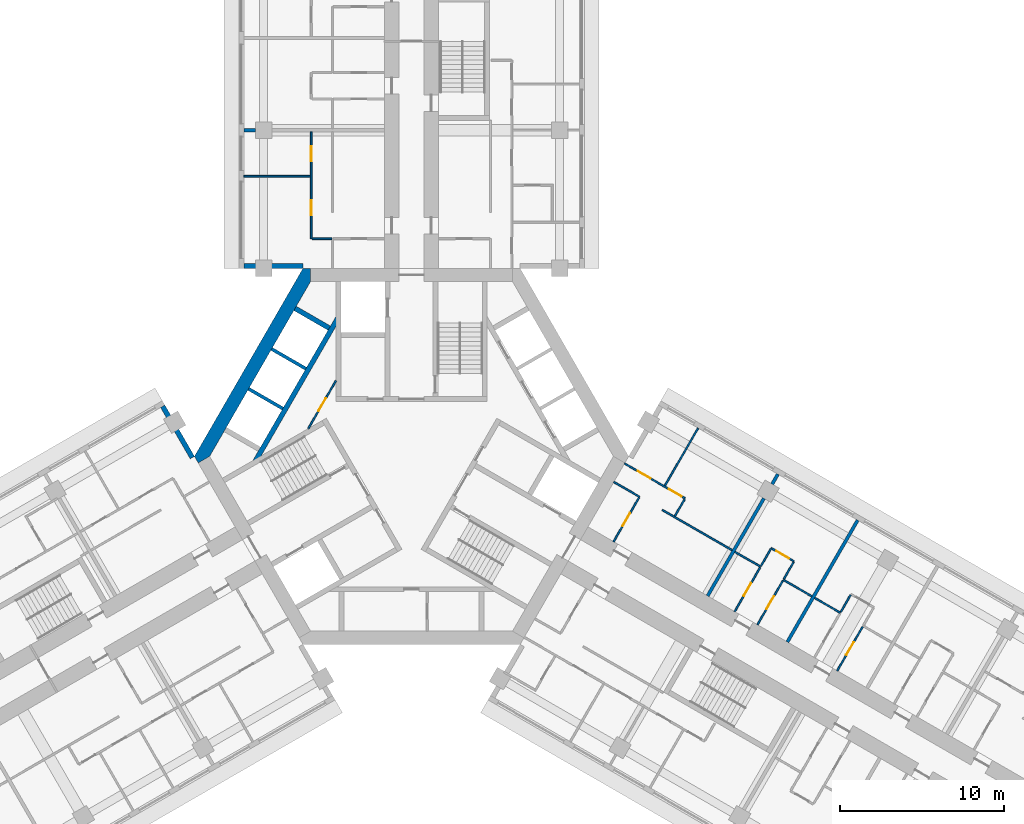
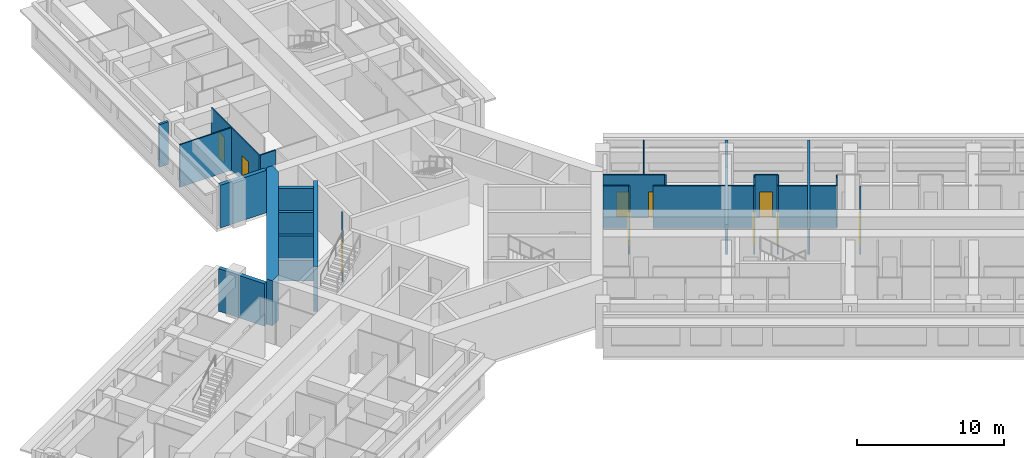
# One storey, part 7 of 14: 31 walls, 10 doors, 10 openings.
"""IFC4 building model written with IfcOpenShell, lengths in metres."""

from ifc_helpers import new_model, si_unit, direction, frame, frame_2d, origin, place, context, subcontext, project, spatial, polyline, rectangle, outline, extrude, material, layer, layer_set, type_object, element, fill, save


model = new_model("IFC4")

# Units and contexts
model_context = context("Model", 3, precision=1e-05, world=origin(), true_north=direction((0.0, 1.0)))
body_context = subcontext(model_context, "Body", "Model", "MODEL_VIEW")
ifc_project = project(units=[si_unit("LENGTHUNIT", "METRE"), si_unit("AREAUNIT", "SQUARE_METRE"), si_unit("VOLUMEUNIT", "CUBIC_METRE"), si_unit("PLANEANGLEUNIT", "RADIAN"), si_unit("MASSUNIT", "GRAM", prefix="KILO")], contexts=[model_context])

# Site, building, storey
site_placement = place(None, origin())
site = spatial("IfcSite", under=ifc_project, at=site_placement, CompositionType="ELEMENT")
building_placement = place(site_placement, origin())
building = spatial("IfcBuilding", under=site, at=building_placement, Name="Impinga Residences", CompositionType="ELEMENT")
storey_placement = place(building_placement, frame((0.0, 0.0, 147.25)))
storey = spatial("IfcBuildingStorey", under=building, at=storey_placement, Name="L36", CompositionType="ELEMENT", Elevation=147.25)

# Wall, opening, door
ifc_material_1 = material(Name="Concrete blockwork", Category="masonry")
ifc_layer_1 = layer(ifc_material_1, 0.10009765625)
ifc_layer_set_1 = layer_set([ifc_layer_1], Name="CP1 core room partition, blockwork 100")
wall_type_1 = type_object("IfcWallType", Name="CP1 core room partition, blockwork 100", PredefinedType="PARTITIONING", material=ifc_layer_set_1)
wall_1_placement = place(storey_placement, frame((-6.280029296875, 1.685791015625, 0.0), z_axis=(0.0, 0.0, 1.0), x_axis=(0.499976138585, 0.866039179741, 0.0)))
wall_1 = element("IfcWall", 1, at=wall_1_placement, inside=storey, type_object=wall_type_1, Name="Core room partition, blockwork L36:CORE:high:FP", PredefinedType="PARTITIONING", context=body_context, shape_type="SweptSolid", body=[
    extrude(rectangle(XDim=3.360107421875, YDim=0.10009765625, at=frame_2d((1.68017578125, 0.0))), origin(), (0.0, 0.0, 1.0), 3.530029296875),
])
opening_1_placement = place(wall_1_placement, frame((1.22998046875, 0.0, 0.0)))
opening_1 = element("IfcOpeningElement", 2, at=opening_1_placement, cuts=wall_1, Name="Opening D6", PredefinedType="OPENING", context=body_context, shape_type="SweptSolid", body=[
    extrude(rectangle(XDim=0.89990234375, YDim=2.10009765625, at=frame_2d((0.449951171875, 1.050048828125))), frame((0.0, 0.06005859375, 0.0), z_axis=(0.0, -1.0, 0.0), x_axis=(1.0, 0.0, 0.0)), (0.0, 0.0, 1.0), 0.1201171875),
])
ifc_material_2 = material(Name="Timber door set", Category="wood")
door_type_1 = type_object("IfcDoorType", Name="D6 riser and store door 900x2100", OperationType="SINGLE_SWING_LEFT", PredefinedType="DOOR", material=ifc_material_2)
door_1_placement = place(opening_1_placement, origin())
door_1 = element("IfcDoor", 3, at=door_1_placement, inside=storey, type_object=door_type_1, Name="Vending and ice room door", OperationType="SINGLE_SWING_RIGHT", OverallHeight=2.10009765625, OverallWidth=0.89990234375, PredefinedType="DOOR", context=body_context, shape_type="SweptSolid", body=[
    extrude(rectangle(XDim=0.89990234375, YDim=2.10009765625, at=frame_2d((0.449951171875, 1.050048828125))), frame((0.0, 0.02490234375, 0.0), z_axis=(0.0, -1.0, 0.0), x_axis=(1.0, 0.0, 0.0)), (0.0, 0.0, 1.0), 0.050048828125),
])
fill(opening_1, door_1)

# Walls
ifc_material_3 = material(Name="Terracotta rainscreen on blockwork", Category="masonry")
ifc_layer_2 = layer(ifc_material_3, 0.300048828125)
ifc_layer_set_2 = layer_set([ifc_layer_2], Name="EW1 external wall, terracotta rainscreen on blockwork 300")
wall_type_2 = type_object("IfcWallType", Name="EW1 external wall, terracotta rainscreen on blockwork 300", PredefinedType="SOLIDWALL", material=ifc_layer_set_2)
wall_2_placement = place(storey_placement, frame((-15.1298828125, 3.042724609375, 0.0), z_axis=(0.0, 0.0, 1.0), x_axis=(0.500012057535, -0.866018442252, 0.0)))
element("IfcWall", 4, at=wall_2_placement, inside=storey, type_object=wall_type_2, Name="External wall EW1 L36", PredefinedType="SOLIDWALL", context=body_context, shape_type="SweptSolid", body=[
    extrude(rectangle(XDim=3.60009765625, YDim=0.300048828125, at=frame_2d((1.800048828125, 0.0))), origin(), (0.0, 0.0, 1.0), 3.530029296875),
])
wall_3_placement = place(storey_placement, frame((-6.60009765625, 11.58154296875, 0.0), z_axis=(0.0, 0.0, 1.0), x_axis=(-1.0, 0.0, 0.0)))
element("IfcWall", 5, at=wall_3_placement, inside=storey, type_object=wall_type_2, Name="External wall EW1 L36", PredefinedType="SOLIDWALL", context=body_context, shape_type="SweptSolid", body=[
    extrude(rectangle(XDim=3.599853515625, YDim=0.300048828125, at=frame_2d((1.7998046875, 0.0))), origin(), (0.0, 0.0, 1.0), 3.530029296875),
])

# Wall, openings, doors
ifc_material_4 = material(Name="Gypsum board on steel studs", Category="steel")
ifc_layer_3 = layer(ifc_material_4, 0.10009765625)
ifc_layer_set_3 = layer_set([ifc_layer_3], Name="Gypsum board on steel studs")
wall_type_3 = type_object("IfcWallType", Name="IP1 partition 100", PredefinedType="PARTITIONING", material=ifc_layer_set_3)
wall_4_placement = place(storey_placement, frame((-6.10009765625, 13.2314453125, 0.0), z_axis=(0.0, 0.0, 1.0), x_axis=(0.0, 1.0, 0.0)))
wall_4 = element("IfcWall", 6, at=wall_4_placement, inside=storey, type_object=wall_type_3, Name="Partition L36-NA1:STRIP", PredefinedType="PARTITIONING", context=body_context, shape_type="SweptSolid", body=[
    extrude(rectangle(XDim=6.5, YDim=0.10009765625, at=frame_2d((3.25, 0.0))), origin(), (0.0, 0.0, 1.0), 3.530029296875),
])
opening_2_placement = place(wall_4_placement, frame((1.425048828125, 0.0, 0.0)))
opening_2 = element("IfcOpeningElement", 7, at=opening_2_placement, cuts=wall_4, Name="Opening D2", PredefinedType="OPENING", context=body_context, shape_type="SweptSolid", body=[
    extrude(rectangle(XDim=0.89990234375, YDim=2.10009765625, at=frame_2d((0.449951171875, 1.050048828125))), frame((0.0, 0.06005859375, 0.0), z_axis=(0.0, -1.0, 0.0), x_axis=(1.0, 0.0, 0.0)), (0.0, 0.0, 1.0), 0.1201171875),
])
opening_3_placement = place(wall_4_placement, frame((4.72509765625, 0.0, 0.0)))
opening_3 = element("IfcOpeningElement", 8, at=opening_3_placement, cuts=wall_4, Name="Opening D2", PredefinedType="OPENING", context=body_context, shape_type="SweptSolid", body=[
    extrude(rectangle(XDim=0.89990234375, YDim=2.10009765625, at=frame_2d((0.449951171875, 1.050048828125))), frame((0.0, 0.06005859375, 0.0), z_axis=(0.0, -1.0, 0.0), x_axis=(1.0, 0.0, 0.0)), (0.0, 0.0, 1.0), 0.1201171875),
])
door_type_2 = type_object("IfcDoorType", Name="D2 internal door 900x2100", OperationType="SINGLE_SWING_LEFT", PredefinedType="DOOR", material=ifc_material_2)
door_2_placement = place(opening_2_placement, origin())
door_2 = element("IfcDoor", 9, at=door_2_placement, inside=storey, type_object=door_type_2, Name="Apartment L36-NA1 room door", OperationType="SINGLE_SWING_LEFT", OverallHeight=2.10009765625, OverallWidth=0.89990234375, PredefinedType="DOOR", context=body_context, shape_type="SweptSolid", body=[
    extrude(rectangle(XDim=0.89990234375, YDim=2.10009765625, at=frame_2d((0.449951171875, 1.050048828125))), frame((0.0, 0.02490234375, 0.0), z_axis=(0.0, -1.0, 0.0), x_axis=(1.0, 0.0, 0.0)), (0.0, 0.0, 1.0), 0.050048828125),
])
fill(opening_2, door_2)
door_3_placement = place(opening_3_placement, origin())
door_3 = element("IfcDoor", 10, at=door_3_placement, inside=storey, type_object=door_type_2, Name="Apartment L36-NA1 room door", OperationType="SINGLE_SWING_RIGHT", OverallHeight=2.10009765625, OverallWidth=0.89990234375, PredefinedType="DOOR", context=body_context, shape_type="SweptSolid", body=[
    extrude(rectangle(XDim=0.89990234375, YDim=2.10009765625, at=frame_2d((0.449951171875, 1.050048828125))), frame((0.0, 0.02490234375, 0.0), z_axis=(0.0, -1.0, 0.0), x_axis=(1.0, 0.0, 0.0)), (0.0, 0.0, 1.0), 0.050048828125),
])
fill(opening_3, door_3)

# Walls
wall_5_placement = place(storey_placement, frame((-4.85009765625, 13.2314453125, 0.0), z_axis=(0.0, 0.0, 1.0), x_axis=(-1.0, 0.0, 0.0)))
element("IfcWall", 11, at=wall_5_placement, inside=storey, type_object=wall_type_3, Name="Partition L36-NA1:SE0", PredefinedType="PARTITIONING", context=body_context, shape_type="SweptSolid", body=[
    extrude(rectangle(XDim=1.199951171875, YDim=0.10009765625, at=frame_2d((0.60009765625, 0.0))), origin(), (0.0, 0.0, 1.0), 3.530029296875),
])
wall_6_placement = place(storey_placement, frame((-6.14990234375, 17.031494140625, 0.0), z_axis=(0.0, 0.0, 1.0), x_axis=(-1.0, 0.0, 0.0)))
element("IfcWall", 12, at=wall_6_placement, inside=storey, type_object=wall_type_3, Name="Partition L36-NA1:OB1", PredefinedType="PARTITIONING", context=body_context, shape_type="SweptSolid", body=[
    extrude(rectangle(XDim=4.050048828125, YDim=0.10009765625, at=frame_2d((2.02490234375, 0.0))), origin(), (0.0, 0.0, 1.0), 3.530029296875),
])
wall_7_placement = place(storey_placement, frame((12.300048828125, -1.558837890625, 0.0), z_axis=(0.0, 0.0, 1.0), x_axis=(0.866047807691, -0.499961193289, 0.0)))
element("IfcWall", 13, at=wall_7_placement, inside=storey, type_object=wall_type_3, Name="Partition L36-EA1:DIV0", PredefinedType="PARTITIONING", context=body_context, shape_type="SweptSolid", body=[
    extrude(rectangle(XDim=1.800048828125, YDim=0.10009765625, at=frame_2d((0.89990234375, 0.0))), origin(), (0.0, 0.0, 1.0), 3.530029296875),
])
wall_8_placement = place(storey_placement, frame((15.244384765625, -3.2587890625, 0.0), z_axis=(0.0, 0.0, 1.0), x_axis=(0.866036242063, -0.49998122708, 0.0)))
element("IfcWall", 14, at=wall_8_placement, inside=storey, type_object=wall_type_3, Name="Partition L36-EA1:DIV1", PredefinedType="PARTITIONING", context=body_context, shape_type="SweptSolid", body=[
    extrude(rectangle(XDim=4.900146484375, YDim=0.10009765625, at=frame_2d((2.4501953125, 0.0))), origin(), (0.0, 0.0, 1.0), 3.530029296875),
])

# Wall, openings, doors
wall_9_placement = place(storey_placement, frame((12.949951171875, -0.43310546875, 0.0), z_axis=(0.0, 0.0, 1.0), x_axis=(0.866028703517, -0.499994284652, 0.0)))
wall_9 = element("IfcWall", 15, at=wall_9_placement, inside=storey, type_object=wall_type_3, Name="Partition L36-EA1:STRIP", PredefinedType="PARTITIONING", context=body_context, shape_type="SweptSolid", body=[
    extrude(rectangle(XDim=4.25, YDim=0.10009765625, at=frame_2d((2.125, 0.0))), origin(), (0.0, 0.0, 1.0), 3.530029296875),
])
opening_4_placement = place(wall_9_placement, frame((0.925048828125, 0.0, 0.0)))
opening_4 = element("IfcOpeningElement", 16, at=opening_4_placement, cuts=wall_9, Name="Opening D2", PredefinedType="OPENING", context=body_context, shape_type="SweptSolid", body=[
    extrude(rectangle(XDim=0.89990234375, YDim=2.10009765625, at=frame_2d((0.449951171875, 1.050048828125))), frame((0.0, 0.06005859375, 0.0), z_axis=(0.0, -1.0, 0.0), x_axis=(1.0, 0.0, 0.0)), (0.0, 0.0, 1.0), 0.1201171875),
])
opening_5_placement = place(wall_9_placement, frame((3.10009765625, 0.0, 0.0)))
opening_5 = element("IfcOpeningElement", 17, at=opening_5_placement, cuts=wall_9, Name="Opening D2", PredefinedType="OPENING", context=body_context, shape_type="SweptSolid", body=[
    extrude(rectangle(XDim=0.89990234375, YDim=2.10009765625, at=frame_2d((0.449951171875, 1.050048828125))), frame((0.0, 0.06005859375, 0.0), z_axis=(0.0, -1.0, 0.0), x_axis=(1.0, 0.0, 0.0)), (0.0, 0.0, 1.0), 0.1201171875),
])
door_4_placement = place(opening_4_placement, origin())
door_4 = element("IfcDoor", 18, at=door_4_placement, inside=storey, type_object=door_type_2, Name="Apartment L36-EA1 room door", OperationType="SINGLE_SWING_LEFT", OverallHeight=2.10009765625, OverallWidth=0.89990234375, PredefinedType="DOOR", context=body_context, shape_type="SweptSolid", body=[
    extrude(rectangle(XDim=0.89990234375, YDim=2.10009765625, at=frame_2d((0.449951171875, 1.050048828125))), frame((0.0, 0.02490234375, 0.0), z_axis=(0.0, -1.0, 0.0), x_axis=(1.0, 0.0, 0.0)), (0.0, 0.0, 1.0), 0.050048828125),
])
fill(opening_4, door_4)
door_5_placement = place(opening_5_placement, origin())
door_5 = element("IfcDoor", 19, at=door_5_placement, inside=storey, type_object=door_type_2, Name="Apartment L36-EA1 room door", OperationType="SINGLE_SWING_RIGHT", OverallHeight=2.10009765625, OverallWidth=0.89990234375, PredefinedType="DOOR", context=body_context, shape_type="SweptSolid", body=[
    extrude(rectangle(XDim=0.89990234375, YDim=2.10009765625, at=frame_2d((0.449951171875, 1.050048828125))), frame((0.0, 0.02490234375, 0.0), z_axis=(0.0, -1.0, 0.0), x_axis=(1.0, 0.0, 0.0)), (0.0, 0.0, 1.0), 0.050048828125),
])
fill(opening_5, door_5)

# Wall
wall_10_placement = place(storey_placement, frame((16.005615234375, -3.640625, 0.0), z_axis=(0.0, 0.0, 1.0), x_axis=(0.500033551112, 0.866006032174, 0.0)))
element("IfcWall", 20, at=wall_10_placement, inside=storey, type_object=wall_type_3, Name="Partition L36-EA1:SE1", PredefinedType="PARTITIONING", context=body_context, shape_type="SweptSolid", body=[
    extrude(rectangle(XDim=1.2001953125, YDim=0.10009765625, at=frame_2d((0.60009765625, 0.0))), origin(), (0.0, 0.0, 1.0), 3.530029296875),
])

# Wall, opening, door
wall_11_placement = place(storey_placement, frame((12.283935546875, -5.186767578125, 0.0), z_axis=(0.0, 0.0, 1.0), x_axis=(0.499967891604, 0.866043940782, 0.0)))
wall_11 = element("IfcWall", 21, at=wall_11_placement, inside=storey, type_object=wall_type_3, Name="Partition L36-EA1:IB1", PredefinedType="PARTITIONING", context=body_context, shape_type="SweptSolid", body=[
    extrude(rectangle(XDim=3.099853515625, YDim=0.10009765625, at=frame_2d((1.5498046875, 0.0))), origin(), (0.0, 0.0, 1.0), 3.530029296875),
])
opening_6_placement = place(wall_11_placement, frame((1.10009765625, 0.0, 0.0)))
opening_6 = element("IfcOpeningElement", 22, at=opening_6_placement, cuts=wall_11, Name="Opening D2", PredefinedType="OPENING", context=body_context, shape_type="SweptSolid", body=[
    extrude(rectangle(XDim=0.89990234375, YDim=2.10009765625, at=frame_2d((0.449951171875, 1.050048828125))), frame((0.0, 0.06005859375, 0.0), z_axis=(0.0, -1.0, 0.0), x_axis=(1.0, 0.0, 0.0)), (0.0, 0.0, 1.0), 0.1201171875),
])
door_6_placement = place(opening_6_placement, origin())
door_6 = element("IfcDoor", 23, at=door_6_placement, inside=storey, type_object=door_type_2, Name="Apartment L36-EA1 bathroom door", OperationType="SINGLE_SWING_LEFT", OverallHeight=2.10009765625, OverallWidth=0.89990234375, PredefinedType="DOOR", context=body_context, shape_type="SweptSolid", body=[
    extrude(rectangle(XDim=0.89990234375, YDim=2.10009765625, at=frame_2d((0.449951171875, 1.050048828125))), frame((0.0, 0.02490234375, 0.0), z_axis=(0.0, -1.0, 0.0), x_axis=(1.0, 0.0, 0.0)), (0.0, 0.0, 1.0), 0.050048828125),
])
fill(opening_6, door_6)

# Walls
wall_12_placement = place(storey_placement, frame((15.39990234375, -1.789794921875, 0.0), z_axis=(0.0, 0.0, 1.0), x_axis=(0.499964223975, 0.866046058097, 0.0)))
element("IfcWall", 24, at=wall_12_placement, inside=storey, type_object=wall_type_3, Name="Partition L36-EA1:OB1", PredefinedType="PARTITIONING", context=body_context, shape_type="SweptSolid", body=[
    extrude(rectangle(XDim=4.050048828125, YDim=0.10009765625, at=frame_2d((2.02490234375, 0.0))), origin(), (0.0, 0.0, 1.0), 3.530029296875),
])
wall_13_placement = place(storey_placement, frame((19.6611328125, -5.808837890625, 0.0), z_axis=(0.0, 0.0, 1.0), x_axis=(0.866047807691, -0.499961193289, 0.0)))
element("IfcWall", 25, at=wall_13_placement, inside=storey, type_object=wall_type_3, Name="Partition L36-EA2:DIV0", PredefinedType="PARTITIONING", context=body_context, shape_type="SweptSolid", body=[
    extrude(rectangle(XDim=1.800048828125, YDim=0.10009765625, at=frame_2d((0.89990234375, 0.0))), origin(), (0.0, 0.0, 1.0), 3.530029296875),
])
wall_14_placement = place(storey_placement, frame((22.605712890625, -7.5087890625, 0.0), z_axis=(0.0, 0.0, 1.0), x_axis=(0.866010750942, -0.50002537861, 0.0)))
element("IfcWall", 26, at=wall_14_placement, inside=storey, type_object=wall_type_3, Name="Partition L36-EA2:DIV1", PredefinedType="PARTITIONING", context=body_context, shape_type="SweptSolid", body=[
    extrude(rectangle(XDim=2.0, YDim=0.10009765625, at=frame_2d((1.0, 0.0))), origin(), (0.0, 0.0, 1.0), 3.530029296875),
])

# Wall, opening, door
wall_15_placement = place(storey_placement, frame((21.8701171875, -5.5830078125, 0.0), z_axis=(0.0, 0.0, 1.0), x_axis=(0.865989903783, -0.500061482766, 0.0)))
wall_15 = element("IfcWall", 27, at=wall_15_placement, inside=storey, type_object=wall_type_3, Name="Partition L36-EA2:STRIP", PredefinedType="PARTITIONING", context=body_context, shape_type="SweptSolid", body=[
    extrude(rectangle(XDim=1.599853515625, YDim=0.10009765625, at=frame_2d((0.7998046875, 0.0))), origin(), (0.0, 0.0, 1.0), 3.530029296875),
])
opening_7_placement = place(wall_15_placement, frame((0.35009765625, 0.0, 0.0)))
opening_7 = element("IfcOpeningElement", 28, at=opening_7_placement, cuts=wall_15, Name="Opening D2", PredefinedType="OPENING", context=body_context, shape_type="SweptSolid", body=[
    extrude(rectangle(XDim=0.89990234375, YDim=2.10009765625, at=frame_2d((0.449951171875, 1.050048828125))), frame((0.0, 0.06005859375, 0.0), z_axis=(0.0, -1.0, 0.0), x_axis=(1.0, 0.0, 0.0)), (0.0, 0.0, 1.0), 0.1201171875),
])
door_7_placement = place(opening_7_placement, origin())
door_7 = element("IfcDoor", 29, at=door_7_placement, inside=storey, type_object=door_type_2, Name="Apartment L36-EA2 room door", OperationType="SINGLE_SWING_LEFT", OverallHeight=2.10009765625, OverallWidth=0.89990234375, PredefinedType="DOOR", context=body_context, shape_type="SweptSolid", body=[
    extrude(rectangle(XDim=0.89990234375, YDim=2.10009765625, at=frame_2d((0.449951171875, 1.050048828125))), frame((0.0, 0.02490234375, 0.0), z_axis=(0.0, -1.0, 0.0), x_axis=(1.0, 0.0, 0.0)), (0.0, 0.0, 1.0), 0.050048828125),
])
fill(opening_7, door_7)

# Walls
wall_16_placement = place(storey_placement, frame((21.2451171875, -6.66552734375, 0.0), z_axis=(0.0, 0.0, 1.0), x_axis=(0.499880961361, 0.866094119867, 0.0)))
element("IfcWall", 30, at=wall_16_placement, inside=storey, type_object=wall_type_3, Name="Partition L36-EA2:SE0", PredefinedType="PARTITIONING", context=body_context, shape_type="SweptSolid", body=[
    extrude(rectangle(XDim=1.199951171875, YDim=0.10009765625, at=frame_2d((0.60009765625, 0.0))), origin(), (0.0, 0.0, 1.0), 3.530029296875),
])
wall_17_placement = place(storey_placement, frame((22.630615234375, -7.465576171875, 0.0), z_axis=(0.0, 0.0, 1.0), x_axis=(0.500033551112, 0.866006032174, 0.0)))
element("IfcWall", 31, at=wall_17_placement, inside=storey, type_object=wall_type_3, Name="Partition L36-EA2:SE1", PredefinedType="PARTITIONING", context=body_context, shape_type="SweptSolid", body=[
    extrude(rectangle(XDim=1.2001953125, YDim=0.10009765625, at=frame_2d((0.60009765625, 0.0))), origin(), (0.0, 0.0, 1.0), 3.530029296875),
])

# Wall, opening, door
wall_18_placement = place(storey_placement, frame((19.64501953125, -9.436767578125, 0.0), z_axis=(0.0, 0.0, 1.0), x_axis=(0.500026960575, 0.86600983753, 0.0)))
wall_18 = element("IfcWall", 32, at=wall_18_placement, inside=storey, type_object=wall_type_3, Name="Partition L36-EA2:IB1", PredefinedType="PARTITIONING", context=body_context, shape_type="SweptSolid", body=[
    extrude(rectangle(XDim=3.099853515625, YDim=0.10009765625, at=frame_2d((1.5498046875, 0.0))), origin(), (0.0, 0.0, 1.0), 3.530029296875),
])
opening_8_placement = place(wall_18_placement, frame((1.10009765625, 0.0, 0.0)))
opening_8 = element("IfcOpeningElement", 33, at=opening_8_placement, cuts=wall_18, Name="Opening D2", PredefinedType="OPENING", context=body_context, shape_type="SweptSolid", body=[
    extrude(rectangle(XDim=0.89990234375, YDim=2.10009765625, at=frame_2d((0.449951171875, 1.050048828125))), frame((0.0, 0.06005859375, 0.0), z_axis=(0.0, -1.0, 0.0), x_axis=(1.0, 0.0, 0.0)), (0.0, 0.0, 1.0), 0.1201171875),
])
door_8_placement = place(opening_8_placement, origin())
door_8 = element("IfcDoor", 34, at=door_8_placement, inside=storey, type_object=door_type_2, Name="Apartment L36-EA2 bathroom door", OperationType="SINGLE_SWING_LEFT", OverallHeight=2.10009765625, OverallWidth=0.89990234375, PredefinedType="DOOR", context=body_context, shape_type="SweptSolid", body=[
    extrude(rectangle(XDim=0.89990234375, YDim=2.10009765625, at=frame_2d((0.449951171875, 1.050048828125))), frame((0.0, 0.02490234375, 0.0), z_axis=(0.0, -1.0, 0.0), x_axis=(1.0, 0.0, 0.0)), (0.0, 0.0, 1.0), 0.050048828125),
])
fill(opening_8, door_8)

wall_19_placement = place(storey_placement, frame((21.03076171875, -10.23681640625, 0.0), z_axis=(0.0, 0.0, 1.0), x_axis=(0.500026960575, 0.86600983753, 0.0)))
wall_19 = element("IfcWall", 35, at=wall_19_placement, inside=storey, type_object=wall_type_3, Name="Partition L36-EA2:IB2", PredefinedType="PARTITIONING", context=body_context, shape_type="SweptSolid", body=[
    extrude(rectangle(XDim=3.099853515625, YDim=0.10009765625, at=frame_2d((1.5498046875, 0.0))), origin(), (0.0, 0.0, 1.0), 3.530029296875),
])
opening_9_placement = place(wall_19_placement, frame((1.10009765625, 0.0, 0.0)))
opening_9 = element("IfcOpeningElement", 36, at=opening_9_placement, cuts=wall_19, Name="Opening D2", PredefinedType="OPENING", context=body_context, shape_type="SweptSolid", body=[
    extrude(rectangle(XDim=0.89990234375, YDim=2.10009765625, at=frame_2d((0.449951171875, 1.050048828125))), frame((0.0, 0.06005859375, 0.0), z_axis=(0.0, -1.0, 0.0), x_axis=(1.0, 0.0, 0.0)), (0.0, 0.0, 1.0), 0.1201171875),
])
door_9_placement = place(opening_9_placement, origin())
door_9 = element("IfcDoor", 37, at=door_9_placement, inside=storey, type_object=door_type_2, Name="Apartment L36-EA2 WC door", OperationType="SINGLE_SWING_LEFT", OverallHeight=2.10009765625, OverallWidth=0.89990234375, PredefinedType="DOOR", context=body_context, shape_type="SweptSolid", body=[
    extrude(rectangle(XDim=0.89990234375, YDim=2.10009765625, at=frame_2d((0.449951171875, 1.050048828125))), frame((0.0, 0.02490234375, 0.0), z_axis=(0.0, -1.0, 0.0), x_axis=(1.0, 0.0, 0.0)), (0.0, 0.0, 1.0), 0.050048828125),
])
fill(opening_9, door_9)

# Walls
wall_20_placement = place(storey_placement, frame((24.510986328125, -8.60888671875, 0.0), z_axis=(0.0, 0.0, 1.0), x_axis=(0.866047807691, -0.499961193289, 0.0)))
element("IfcWall", 38, at=wall_20_placement, inside=storey, type_object=wall_type_3, Name="Partition L36-EA3:DIV0", PredefinedType="PARTITIONING", context=body_context, shape_type="SweptSolid", body=[
    extrude(rectangle(XDim=1.800048828125, YDim=0.10009765625, at=frame_2d((0.89990234375, 0.0))), origin(), (0.0, 0.0, 1.0), 3.530029296875),
])
wall_21_placement = place(storey_placement, frame((26.0947265625, -9.465576171875, 0.0), z_axis=(0.0, 0.0, 1.0), x_axis=(0.500033551112, 0.866006032174, 0.0)))
element("IfcWall", 39, at=wall_21_placement, inside=storey, type_object=wall_type_3, Name="Partition L36-EA3:SE0", PredefinedType="PARTITIONING", context=body_context, shape_type="SweptSolid", body=[
    extrude(rectangle(XDim=1.2001953125, YDim=0.10009765625, at=frame_2d((0.60009765625, 0.0))), origin(), (0.0, 0.0, 1.0), 3.530029296875),
])

# Wall, opening, door
wall_22_placement = place(storey_placement, frame((25.88037109375, -13.036865234375, 0.0), z_axis=(0.0, 0.0, 1.0), x_axis=(0.49999285859, 0.86602952684, 0.0)))
wall_22 = element("IfcWall", 40, at=wall_22_placement, inside=storey, type_object=wall_type_3, Name="Partition L36-EA3:IB2", PredefinedType="PARTITIONING", context=body_context, shape_type="SweptSolid", body=[
    extrude(rectangle(XDim=3.10009765625, YDim=0.10009765625, at=frame_2d((1.550048828125, 0.0))), origin(), (0.0, 0.0, 1.0), 3.530029296875),
])
opening_10_placement = place(wall_22_placement, frame((1.10009765625, 0.0, 0.0)))
opening_10 = element("IfcOpeningElement", 41, at=opening_10_placement, cuts=wall_22, Name="Opening D2", PredefinedType="OPENING", context=body_context, shape_type="SweptSolid", body=[
    extrude(rectangle(XDim=0.89990234375, YDim=2.10009765625, at=frame_2d((0.449951171875, 1.050048828125))), frame((0.0, 0.06005859375, 0.0), z_axis=(0.0, -1.0, 0.0), x_axis=(1.0, 0.0, 0.0)), (0.0, 0.0, 1.0), 0.1201171875),
])
door_10_placement = place(opening_10_placement, origin())
door_10 = element("IfcDoor", 42, at=door_10_placement, inside=storey, type_object=door_type_2, Name="Apartment L36-EA3 WC door", OperationType="SINGLE_SWING_LEFT", OverallHeight=2.10009765625, OverallWidth=0.89990234375, PredefinedType="DOOR", context=body_context, shape_type="SweptSolid", body=[
    extrude(rectangle(XDim=0.89990234375, YDim=2.10009765625, at=frame_2d((0.449951171875, 1.050048828125))), frame((0.0, 0.02490234375, 0.0), z_axis=(0.0, -1.0, 0.0), x_axis=(1.0, 0.0, 0.0)), (0.0, 0.0, 1.0), 0.050048828125),
])
fill(opening_10, door_10)

# Walls
ifc_layer_4 = layer(ifc_material_1, 0.199951171875)
ifc_layer_set_4 = layer_set([ifc_layer_4], Name="PW1 party wall between apartments 200")
wall_type_4 = type_object("IfcWallType", Name="PW1 party wall between apartments 200", PredefinedType="SOLIDWALL", material=ifc_layer_set_4)
wall_23_placement = place(storey_placement, frame((-9.5, 19.83154296875, 0.0), z_axis=(0.0, 0.0, 1.0), x_axis=(-1.0, 0.0, 0.0)))
element("IfcWall", 43, at=wall_23_placement, inside=storey, type_object=wall_type_4, Name="Party wall between apartments L36-NA1:PARTYb", PredefinedType="SOLIDWALL", context=body_context, shape_type="SweptSolid", body=[
    extrude(rectangle(XDim=0.699951171875, YDim=0.199951171875, at=frame_2d((0.35009765625, 0.0))), origin(), (0.0, 0.0, 1.0), 3.530029296875),
])
wall_24_placement = place(storey_placement, frame((17.99951171875, -8.48681640625, 0.0), z_axis=(0.0, 0.0, 1.0), x_axis=(0.499999086063, 0.866025931445, 0.0)))
element("IfcWall", 44, at=wall_24_placement, inside=storey, type_object=wall_type_4, Name="Party wall between apartments L36-EA1:PARTY", PredefinedType="SOLIDWALL", context=body_context, shape_type="SweptSolid", body=[
    extrude(rectangle(XDim=6.85009765625, YDim=0.199951171875, at=frame_2d((3.425048828125, 0.0))), origin(), (0.0, 0.0, 1.0), 2.47998046875),
])
wall_25_placement = place(storey_placement, frame((21.924560546875, -1.6884765625, 0.0), z_axis=(0.0, 0.0, 1.0), x_axis=(0.500114896893, 0.865959057869, 0.0)))
element("IfcWall", 45, at=wall_25_placement, inside=storey, type_object=wall_type_4, Name="Party wall between apartments L36-EA1:PARTYb", PredefinedType="SOLIDWALL", context=body_context, shape_type="SweptSolid", body=[
    extrude(rectangle(XDim=0.699951171875, YDim=0.199951171875, at=frame_2d((0.35009765625, 0.0))), origin(), (0.0, 0.0, 1.0), 3.530029296875),
])
wall_26_placement = place(storey_placement, frame((22.849365234375, -11.286865234375, 0.0), z_axis=(0.0, 0.0, 1.0), x_axis=(0.499990227581, 0.86603104582, 0.0)))
element("IfcWall", 46, at=wall_26_placement, inside=storey, type_object=wall_type_4, Name="Party wall between apartments L36-EA2:PARTY", PredefinedType="SOLIDWALL", context=body_context, shape_type="SweptSolid", body=[
    extrude(rectangle(XDim=8.550048828125, YDim=0.199951171875, at=frame_2d((4.27490234375, 0.0))), origin(), (0.0, 0.0, 1.0), 3.530029296875),
])
ifc_material_5 = material(Name="Concrete C60/75", Category="concrete")
ifc_layer_5 = layer(ifc_material_5, 0.800048828125)
ifc_layer_set_5 = layer_set([ifc_layer_5], Name="Concrete C60/75")
wall_type_5 = type_object("IfcWallType", Name="SW2 core wall 800", PredefinedType="SHEAR", material=ifc_layer_set_5)
wall_27_placement = place(storey_placement, origin())
element("IfcWall", 47, at=wall_27_placement, inside=storey, type_object=wall_type_5, Name="Core wall SW2 E:EXPOSED L36", PredefinedType="SHEAR", context=body_context, shape_type="SweptSolid", body=[
    extrude(outline(polyline([(-6.60009765625, 11.431640625), (-13.199951171875, 0.0), (-12.968994140625, -0.39990234375), (-12.276123046875, 0.0), (-6.13818359375, 10.631591796875), (-6.13818359375, 11.431640625), (-6.60009765625, 11.431640625)])), origin(), (0.0, 0.0, 1.0), 3.75),
])
ifc_material_6 = material(Name="Concrete C70/85", Category="concrete")
ifc_layer_6 = layer(ifc_material_6, 0.300048828125)
ifc_layer_set_6 = layer_set([ifc_layer_6], Name="Concrete C70/85")
wall_type_6 = type_object("IfcWallType", Name="SW5 core inner wall, stairs, shafts and lobbies 300", PredefinedType="SHEAR", material=ifc_layer_set_6)
wall_28_placement = place(storey_placement, frame((-9.547607421875, -0.3740234375, 0.0), z_axis=(0.0, 0.0, 1.0), x_axis=(0.500002290144, 0.866024081565, 0.0)))
element("IfcWall", 48, at=wall_28_placement, inside=storey, type_object=wall_type_6, Name="Core wall SW5 E:BANK-FRONT L36", PredefinedType="SHEAR", context=body_context, shape_type="SweptSolid", body=[
    extrude(rectangle(XDim=10.1953125, YDim=0.300048828125, at=frame_2d((5.09765625, 0.0))), origin(), (0.0, 0.0, 1.0), 3.75),
])
wall_29_placement = place(storey_placement, frame((-5.003662109375, 7.79638671875, 0.0), z_axis=(0.0, 0.0, 1.0), x_axis=(-0.866050077142, 0.499957262057, 0.0)))
element("IfcWall", 49, at=wall_29_placement, inside=storey, type_object=wall_type_6, Name="Core wall SW5 E:BANK-R L36", PredefinedType="SHEAR", context=body_context, shape_type="SweptSolid", body=[
    extrude(rectangle(XDim=2.400146484375, YDim=0.300048828125, at=frame_2d((1.2001953125, 0.0))), origin(), (0.0, 0.0, 1.0), 3.75),
])
ifc_layer_7 = layer(ifc_material_6, 0.199951171875)
ifc_layer_set_7 = layer_set([ifc_layer_7], Name="Concrete C70/85")
wall_type_7 = type_object("IfcWallType", Name="SW6 lift shaft divider wall 200", PredefinedType="SHEAR", material=ifc_layer_set_7)
wall_30_placement = place(storey_placement, frame((-7.82861328125, 2.9033203125, 0.0), z_axis=(0.0, 0.0, 1.0), x_axis=(-0.866050077142, 0.499957262057, 0.0)))
element("IfcWall", 50, at=wall_30_placement, inside=storey, type_object=wall_type_7, Name="Core wall SW6 E:BANK-D1 L36", PredefinedType="SHEAR", context=body_context, shape_type="SweptSolid", body=[
    extrude(rectangle(XDim=2.400146484375, YDim=0.199951171875, at=frame_2d((1.2001953125, 0.0))), origin(), (0.0, 0.0, 1.0), 3.75),
])
wall_31_placement = place(storey_placement, frame((-6.4287109375, 5.328125, 0.0), z_axis=(0.0, 0.0, 1.0), x_axis=(-0.865980596518, 0.500077600433, 0.0)))
element("IfcWall", 51, at=wall_31_placement, inside=storey, type_object=wall_type_7, Name="Core wall SW6 E:BANK-D2 L36", PredefinedType="SHEAR", context=body_context, shape_type="SweptSolid", body=[
    extrude(rectangle(XDim=2.39990234375, YDim=0.199951171875, at=frame_2d((1.199951171875, 0.0))), origin(), (0.0, 0.0, 1.0), 3.75),
])

save(model, "model.ifc")
